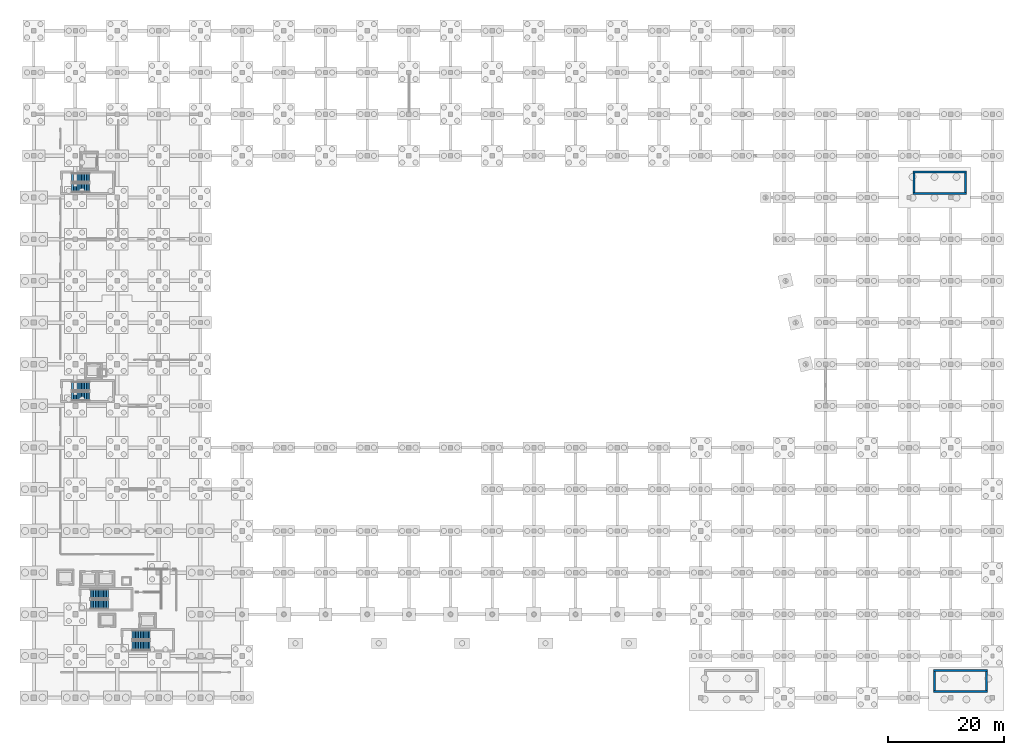
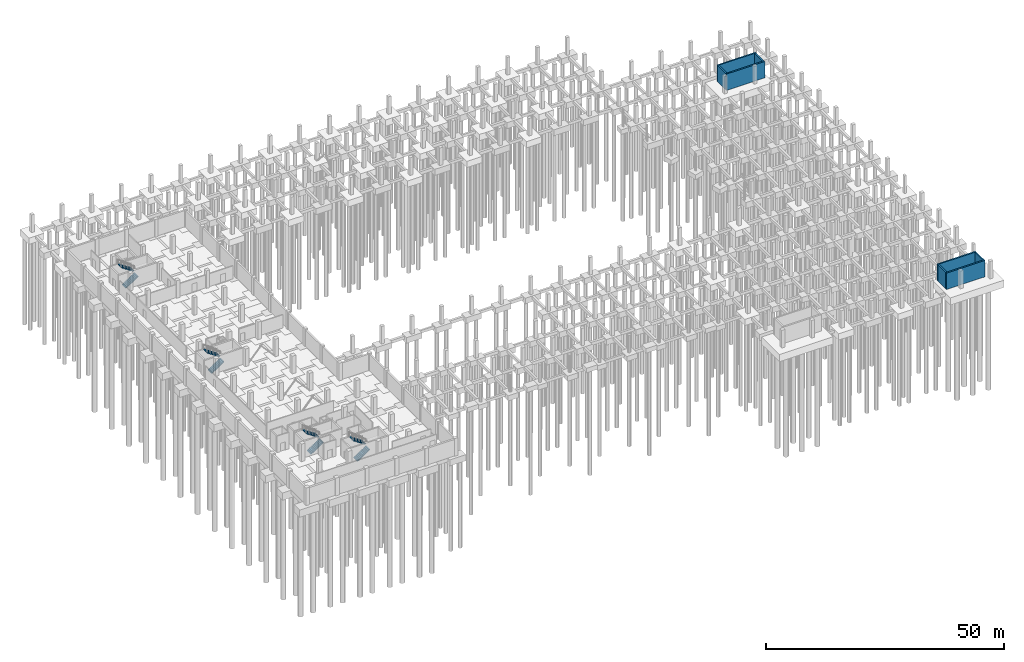
# One storey, part 32 of 36: 8 stair flights, 8 walls, 4 elements without a shape of their own.
"""IFC4 building model written with IfcOpenShell, lengths in metres."""

from ifc_helpers import new_model, si_unit, direction, frame, frame_2d, origin, place, context, subcontext, project, spatial, polyline, rectangle, outline, extrude, material, layer, layer_set, type_object, element, aggregate, save


model = new_model("IFC4")

# Units and contexts
model_context = context("Model", 3, precision=1e-05, world=origin(), true_north=direction((0.0, 1.0)))
body_context = subcontext(model_context, "Body", "Model", "MODEL_VIEW")
ifc_project = project(units=[si_unit("LENGTHUNIT", "METRE"), si_unit("AREAUNIT", "SQUARE_METRE"), si_unit("VOLUMEUNIT", "CUBIC_METRE"), si_unit("PLANEANGLEUNIT", "RADIAN"), si_unit("MASSUNIT", "GRAM", prefix="KILO")], contexts=[model_context])

# Site, building, storey
site_placement = place(None, origin())
site = spatial("IfcSite", under=ifc_project, at=site_placement, CompositionType="ELEMENT")
building_placement = place(site_placement, origin())
building = spatial("IfcBuilding", under=site, at=building_placement, Name="Kalmorath City Hall", CompositionType="ELEMENT")
storey_placement = place(building_placement, frame((0.0, 0.0, -4.5)))
storey = spatial("IfcBuildingStorey", under=building, at=storey_placement, Name="B1", CompositionType="ELEMENT", Elevation=-4.5)

# Walls
ifc_material_1 = material(Name="Concrete C50/60", Category="concrete")
ifc_layer = layer(ifc_material_1, 0.35009765625)
ifc_layer_set = layer_set([ifc_layer], Name="Concrete C50/60")
wall_type = type_object("IfcWallType", Name="Concrete core shear wall 350", PredefinedType="SHEAR", material=ifc_layer_set)
for number, where, z_axis, x_axis, name in (
    (1, (151.85009765625, 87.125, 0.0), (0.0, 0.0, 1.0), (1.0, 0.0, 0.0), "B1 C6 stair core shear wall S"),
    (2, (161.14990234375, 90.77490234375, 0.0), (0.0, 0.0, 1.0), (-1.0, 0.0, 0.0), "B1 C6 stair core shear wall N"),
):
    element("IfcWall", number, at=place(storey_placement, frame(where, z_axis=z_axis, x_axis=x_axis)), inside=storey, type_object=wall_type, Name=name, PredefinedType="SHEAR", context=body_context, shape_type="SweptSolid", body=[
        extrude(rectangle(XDim=9.2998046875, YDim=0.35009765625, at=frame_2d((4.64990234375, 0.0))), origin(), (0.0, 0.0, 1.0), 4.199951171875),
    ])
for number, where, z_axis, x_axis, name in (
    (3, (152.02490234375, 90.60009765625, 0.0), (0.0, 0.0, 1.0), (0.0, -1.0, 0.0), "B1 C6 stair core shear wall W"),
    (4, (160.97509765625, 87.300048828125, 0.0), (0.0, 0.0, 1.0), (0.0, 1.0, 0.0), "B1 C6 stair core shear wall E"),
):
    element("IfcWall", number, at=place(storey_placement, frame(where, z_axis=z_axis, x_axis=x_axis)), inside=storey, type_object=wall_type, Name=name, PredefinedType="SHEAR", context=body_context, shape_type="SweptSolid", body=[
        extrude(rectangle(XDim=3.300048828125, YDim=0.35009765625, at=frame_2d((1.64990234375, 0.0))), origin(), (0.0, 0.0, 1.0), 4.199951171875),
    ])
for number, where, z_axis, x_axis, name in (
    (5, (155.449951171875, 1.02490234375, 0.0), (0.0, 0.0, 1.0), (1.0, 0.0, 0.0), "B1 C7 stair core shear wall S"),
    (6, (164.75, 4.675048828125, 0.0), (0.0, 0.0, 1.0), (-1.0, 0.0, 0.0), "B1 C7 stair core shear wall N"),
):
    element("IfcWall", number, at=place(storey_placement, frame(where, z_axis=z_axis, x_axis=x_axis)), inside=storey, type_object=wall_type, Name=name, PredefinedType="SHEAR", context=body_context, shape_type="SweptSolid", body=[
        extrude(rectangle(XDim=9.300048828125, YDim=0.35009765625, at=frame_2d((4.64990234375, 0.0))), origin(), (0.0, 0.0, 1.0), 4.199951171875),
    ])
for number, where, z_axis, x_axis, name in (
    (7, (155.625, 4.5, 0.0), (0.0, 0.0, 1.0), (0.0, -1.0, 0.0), "B1 C7 stair core shear wall W"),
    (8, (164.574951171875, 1.199951171875, 0.0), (0.0, 0.0, 1.0), (0.0, 1.0, 0.0), "B1 C7 stair core shear wall E"),
):
    element("IfcWall", number, at=place(storey_placement, frame(where, z_axis=z_axis, x_axis=x_axis)), inside=storey, type_object=wall_type, Name=name, PredefinedType="SHEAR", context=body_context, shape_type="SweptSolid", body=[
        extrude(rectangle(XDim=3.300048828125, YDim=0.35009765625, at=frame_2d((1.64990234375, 0.0))), origin(), (0.0, 0.0, 1.0), 4.199951171875),
    ])

# Stair, stair flights
ifc_material_2 = material(Name="Concrete C40/50", Category="concrete")
stair_type_1 = type_object("IfcStairType", Name="Dogleg concrete exit stair 24R x 188mm W1550", PredefinedType="HALF_TURN_STAIR", material=ifc_material_2)
stair_1_placement = place(storey_placement, origin())
stair_1 = element("IfcStair", 9, at=stair_1_placement, inside=storey, type_object=stair_type_1, Name="B1 Protected exit stair ST-3", PredefinedType="HALF_TURN_STAIR")
ifc_material_3 = material(Name="Concrete C40/50", Category="concrete")
stair_flight_type_1 = type_object("IfcStairFlightType", Name="Concrete stair flight 188x280 W1550", PredefinedType="STRAIGHT", material=ifc_material_3)
stair_flight_1_placement = place(storey_placement, frame((6.550048828125, 52.074951171875, 0.0), z_axis=(0.0, 0.0, 1.0), x_axis=(1.0, 0.0, 0.0)))
stair_flight_1 = element("IfcStairFlight", 10, at=stair_flight_1_placement, type_object=stair_flight_type_1, Name="ST-3 flight 1", NumberOfRisers=12, NumberOfTreads=11, PredefinedType="STRAIGHT", RiserHeight=0.1875, TreadLength=0.28, context=body_context, shape_type="SweptSolid", body=[
    extrude(outline(polyline([(0.0, 0.0), (0.0, 0.1875), (0.280029296875, 0.1875), (0.280029296875, 0.375), (0.56005859375, 0.375), (0.56005859375, 0.5625), (0.840087890625, 0.5625), (0.840087890625, 0.75), (1.1201171875, 0.75), (1.1201171875, 0.9375), (1.39990234375, 0.9375), (1.39990234375, 1.125), (1.679931640625, 1.125), (1.679931640625, 1.3125), (1.9599609375, 1.3125), (1.9599609375, 1.5), (2.239990234375, 1.5), (2.239990234375, 1.6875), (2.52001953125, 1.6875), (2.52001953125, 1.875), (2.800048828125, 1.875), (2.800048828125, 2.0625), (3.080078125, 2.0625), (3.080078125, 2.25), (3.080078125, 1.882080078125), (0.26953125, 0.0), (0.0, 0.0)])), frame((0.0, 0.77490234375, 0.0), z_axis=(0.0, -1.0, 0.0), x_axis=(1.0, 0.0, 0.0)), (0.0, 0.0, 1.0), 1.550048828125),
])
stair_flight_2_placement = place(storey_placement, frame((9.6298828125, 53.824951171875, 2.25), z_axis=(0.0, 0.0, 1.0), x_axis=(-1.0, 0.0, 0.0)))
stair_flight_2 = element("IfcStairFlight", 11, at=stair_flight_2_placement, type_object=stair_flight_type_1, Name="ST-3 flight 2", NumberOfRisers=12, NumberOfTreads=11, PredefinedType="STRAIGHT", RiserHeight=0.1875, TreadLength=0.28, context=body_context, shape_type="SweptSolid", body=[
    extrude(outline(polyline([(0.0, 0.0), (0.0, 0.1875), (0.280029296875, 0.1875), (0.280029296875, 0.375), (0.56005859375, 0.375), (0.56005859375, 0.5625), (0.840087890625, 0.5625), (0.840087890625, 0.75), (1.1201171875, 0.75), (1.1201171875, 0.9375), (1.39990234375, 0.9375), (1.39990234375, 1.125), (1.679931640625, 1.125), (1.679931640625, 1.3125), (1.9599609375, 1.3125), (1.9599609375, 1.5), (2.239990234375, 1.5), (2.239990234375, 1.6875), (2.52001953125, 1.6875), (2.52001953125, 1.875), (2.800048828125, 1.875), (2.800048828125, 2.0625), (3.080078125, 2.0625), (3.080078125, 2.25), (3.080078125, 1.882080078125), (0.26953125, 0.0), (0.0, 0.0)])), frame((0.0, 0.77490234375, 0.0), z_axis=(0.0, -1.0, 0.0), x_axis=(1.0, 0.0, 0.0)), (0.0, 0.0, 1.0), 1.550048828125),
])
aggregate(stair_1, [stair_flight_1, stair_flight_2])

stair_2_placement = place(storey_placement, origin())
stair_2 = element("IfcStair", 12, at=stair_2_placement, inside=storey, type_object=stair_type_1, Name="B1 Protected exit stair ST-4", PredefinedType="HALF_TURN_STAIR")
stair_flight_3_placement = place(storey_placement, frame((6.550048828125, 88.074951171875, 0.0), z_axis=(0.0, 0.0, 1.0), x_axis=(1.0, 0.0, 0.0)))
stair_flight_3 = element("IfcStairFlight", 13, at=stair_flight_3_placement, type_object=stair_flight_type_1, Name="ST-4 flight 1", NumberOfRisers=12, NumberOfTreads=11, PredefinedType="STRAIGHT", RiserHeight=0.1875, TreadLength=0.28, context=body_context, shape_type="SweptSolid", body=[
    extrude(outline(polyline([(0.0, 0.0), (0.0, 0.1875), (0.280029296875, 0.1875), (0.280029296875, 0.375), (0.56005859375, 0.375), (0.56005859375, 0.5625), (0.840087890625, 0.5625), (0.840087890625, 0.75), (1.1201171875, 0.75), (1.1201171875, 0.9375), (1.39990234375, 0.9375), (1.39990234375, 1.125), (1.679931640625, 1.125), (1.679931640625, 1.3125), (1.9599609375, 1.3125), (1.9599609375, 1.5), (2.239990234375, 1.5), (2.239990234375, 1.6875), (2.52001953125, 1.6875), (2.52001953125, 1.875), (2.800048828125, 1.875), (2.800048828125, 2.0625), (3.080078125, 2.0625), (3.080078125, 2.25), (3.080078125, 1.882080078125), (0.26953125, 0.0), (0.0, 0.0)])), frame((0.0, 0.77490234375, 0.0), z_axis=(0.0, -1.0, 0.0), x_axis=(1.0, 0.0, 0.0)), (0.0, 0.0, 1.0), 1.550048828125),
])
stair_flight_4_placement = place(storey_placement, frame((9.6298828125, 89.824951171875, 2.25), z_axis=(0.0, 0.0, 1.0), x_axis=(-1.0, 0.0, 0.0)))
stair_flight_4 = element("IfcStairFlight", 14, at=stair_flight_4_placement, type_object=stair_flight_type_1, Name="ST-4 flight 2", NumberOfRisers=12, NumberOfTreads=11, PredefinedType="STRAIGHT", RiserHeight=0.1875, TreadLength=0.28, context=body_context, shape_type="SweptSolid", body=[
    extrude(outline(polyline([(0.0, 0.0), (0.0, 0.1875), (0.280029296875, 0.1875), (0.280029296875, 0.375), (0.56005859375, 0.375), (0.56005859375, 0.5625), (0.840087890625, 0.5625), (0.840087890625, 0.75), (1.1201171875, 0.75), (1.1201171875, 0.9375), (1.39990234375, 0.9375), (1.39990234375, 1.125), (1.679931640625, 1.125), (1.679931640625, 1.3125), (1.9599609375, 1.3125), (1.9599609375, 1.5), (2.239990234375, 1.5), (2.239990234375, 1.6875), (2.52001953125, 1.6875), (2.52001953125, 1.875), (2.800048828125, 1.875), (2.800048828125, 2.0625), (3.080078125, 2.0625), (3.080078125, 2.25), (3.080078125, 1.882080078125), (0.26953125, 0.0), (0.0, 0.0)])), frame((0.0, 0.77490234375, 0.0), z_axis=(0.0, -1.0, 0.0), x_axis=(1.0, 0.0, 0.0)), (0.0, 0.0, 1.0), 1.550048828125),
])
aggregate(stair_2, [stair_flight_3, stair_flight_4])

ifc_material_4 = material(Name="Concrete C40/50", Category="concrete")
stair_type_2 = type_object("IfcStairType", Name="Dogleg concrete exit stair 24R x 188mm W1600", PredefinedType="HALF_TURN_STAIR", material=ifc_material_4)
stair_3_placement = place(storey_placement, origin())
stair_3 = element("IfcStair", 15, at=stair_3_placement, inside=storey, type_object=stair_type_2, Name="B1 Protected exit stair ST-1", PredefinedType="HALF_TURN_STAIR")
ifc_material_5 = material(Name="Concrete C40/50", Category="concrete")
stair_flight_type_2 = type_object("IfcStairFlightType", Name="Concrete stair flight 188x280 W1600", PredefinedType="STRAIGHT", material=ifc_material_5)
stair_flight_5_placement = place(storey_placement, frame((9.800048828125, 16.10009765625, 0.0), z_axis=(0.0, 0.0, 1.0), x_axis=(1.0, 0.0, 0.0)))
stair_flight_5 = element("IfcStairFlight", 16, at=stair_flight_5_placement, type_object=stair_flight_type_2, Name="ST-1 flight 1", NumberOfRisers=12, NumberOfTreads=11, PredefinedType="STRAIGHT", RiserHeight=0.1875, TreadLength=0.28, context=body_context, shape_type="SweptSolid", body=[
    extrude(outline(polyline([(0.0, 0.0), (0.0, 0.1875), (0.280029296875, 0.1875), (0.280029296875, 0.375), (0.56005859375, 0.375), (0.56005859375, 0.5625), (0.840087890625, 0.5625), (0.840087890625, 0.75), (1.1201171875, 0.75), (1.1201171875, 0.9375), (1.39990234375, 0.9375), (1.39990234375, 1.125), (1.679931640625, 1.125), (1.679931640625, 1.3125), (1.9599609375, 1.3125), (1.9599609375, 1.5), (2.239990234375, 1.5), (2.239990234375, 1.6875), (2.52001953125, 1.6875), (2.52001953125, 1.875), (2.800048828125, 1.875), (2.800048828125, 2.0625), (3.080078125, 2.0625), (3.080078125, 2.25), (3.080078125, 1.882080078125), (0.26953125, 0.0), (0.0, 0.0)])), frame((0.0, 0.800048828125, 0.0), z_axis=(0.0, -1.0, 0.0), x_axis=(1.0, 0.0, 0.0)), (0.0, 0.0, 1.0), 1.60009765625),
])
stair_flight_6_placement = place(storey_placement, frame((12.8798828125, 17.89990234375, 2.25), z_axis=(0.0, 0.0, 1.0), x_axis=(-1.0, 0.0, 0.0)))
stair_flight_6 = element("IfcStairFlight", 17, at=stair_flight_6_placement, type_object=stair_flight_type_2, Name="ST-1 flight 2", NumberOfRisers=12, NumberOfTreads=11, PredefinedType="STRAIGHT", RiserHeight=0.1875, TreadLength=0.28, context=body_context, shape_type="SweptSolid", body=[
    extrude(outline(polyline([(0.0, 0.0), (0.0, 0.1875), (0.280029296875, 0.1875), (0.280029296875, 0.375), (0.56005859375, 0.375), (0.56005859375, 0.5625), (0.840087890625, 0.5625), (0.840087890625, 0.75), (1.1201171875, 0.75), (1.1201171875, 0.9375), (1.39990234375, 0.9375), (1.39990234375, 1.125), (1.679931640625, 1.125), (1.679931640625, 1.3125), (1.9599609375, 1.3125), (1.9599609375, 1.5), (2.239990234375, 1.5), (2.239990234375, 1.6875), (2.52001953125, 1.6875), (2.52001953125, 1.875), (2.800048828125, 1.875), (2.800048828125, 2.0625), (3.080078125, 2.0625), (3.080078125, 2.25), (3.080078125, 1.882080078125), (0.26953125, 0.0), (0.0, 0.0)])), frame((0.0, 0.800048828125, 0.0), z_axis=(0.0, -1.0, 0.0), x_axis=(1.0, 0.0, 0.0)), (0.0, 0.0, 1.0), 1.60009765625),
])
aggregate(stair_3, [stair_flight_5, stair_flight_6])

stair_4_placement = place(storey_placement, origin())
stair_4 = element("IfcStair", 18, at=stair_4_placement, inside=storey, type_object=stair_type_2, Name="B1 Protected exit stair ST-2", PredefinedType="HALF_TURN_STAIR")
stair_flight_7_placement = place(storey_placement, frame((17.0, 9.0, 0.0), z_axis=(0.0, 0.0, 1.0), x_axis=(1.0, 0.0, 0.0)))
stair_flight_7 = element("IfcStairFlight", 19, at=stair_flight_7_placement, type_object=stair_flight_type_2, Name="ST-2 flight 1", NumberOfRisers=12, NumberOfTreads=11, PredefinedType="STRAIGHT", RiserHeight=0.1875, TreadLength=0.28, context=body_context, shape_type="SweptSolid", body=[
    extrude(outline(polyline([(0.0, 0.0), (0.0, 0.1875), (0.280029296875, 0.1875), (0.280029296875, 0.375), (0.56005859375, 0.375), (0.56005859375, 0.5625), (0.840087890625, 0.5625), (0.840087890625, 0.75), (1.1201171875, 0.75), (1.1201171875, 0.9375), (1.39990234375, 0.9375), (1.39990234375, 1.125), (1.679931640625, 1.125), (1.679931640625, 1.3125), (1.9599609375, 1.3125), (1.9599609375, 1.5), (2.239990234375, 1.5), (2.239990234375, 1.6875), (2.52001953125, 1.6875), (2.52001953125, 1.875), (2.800048828125, 1.875), (2.800048828125, 2.0625), (3.080078125, 2.0625), (3.080078125, 2.25), (3.080078125, 1.882080078125), (0.26953125, 0.0), (0.0, 0.0)])), frame((0.0, 0.800048828125, 0.0), z_axis=(0.0, -1.0, 0.0), x_axis=(1.0, 0.0, 0.0)), (0.0, 0.0, 1.0), 1.60009765625),
])
stair_flight_8_placement = place(storey_placement, frame((20.080078125, 10.800048828125, 2.25), z_axis=(0.0, 0.0, 1.0), x_axis=(-1.0, 0.0, 0.0)))
stair_flight_8 = element("IfcStairFlight", 20, at=stair_flight_8_placement, type_object=stair_flight_type_2, Name="ST-2 flight 2", NumberOfRisers=12, NumberOfTreads=11, PredefinedType="STRAIGHT", RiserHeight=0.1875, TreadLength=0.28, context=body_context, shape_type="SweptSolid", body=[
    extrude(outline(polyline([(0.0, 0.0), (0.0, 0.1875), (0.280029296875, 0.1875), (0.280029296875, 0.375), (0.56005859375, 0.375), (0.56005859375, 0.5625), (0.840087890625, 0.5625), (0.840087890625, 0.75), (1.1201171875, 0.75), (1.1201171875, 0.9375), (1.39990234375, 0.9375), (1.39990234375, 1.125), (1.679931640625, 1.125), (1.679931640625, 1.3125), (1.9599609375, 1.3125), (1.9599609375, 1.5), (2.239990234375, 1.5), (2.239990234375, 1.6875), (2.52001953125, 1.6875), (2.52001953125, 1.875), (2.800048828125, 1.875), (2.800048828125, 2.0625), (3.080078125, 2.0625), (3.080078125, 2.25), (3.080078125, 1.882080078125), (0.26953125, 0.0), (0.0, 0.0)])), frame((0.0, 0.800048828125, 0.0), z_axis=(0.0, -1.0, 0.0), x_axis=(1.0, 0.0, 0.0)), (0.0, 0.0, 1.0), 1.60009765625),
])
aggregate(stair_4, [stair_flight_7, stair_flight_8])

save(model, "model.ifc")
